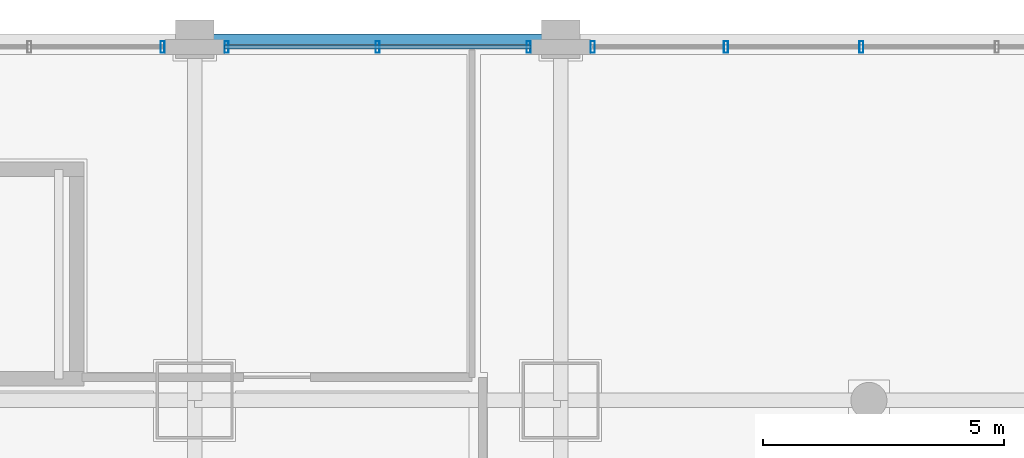
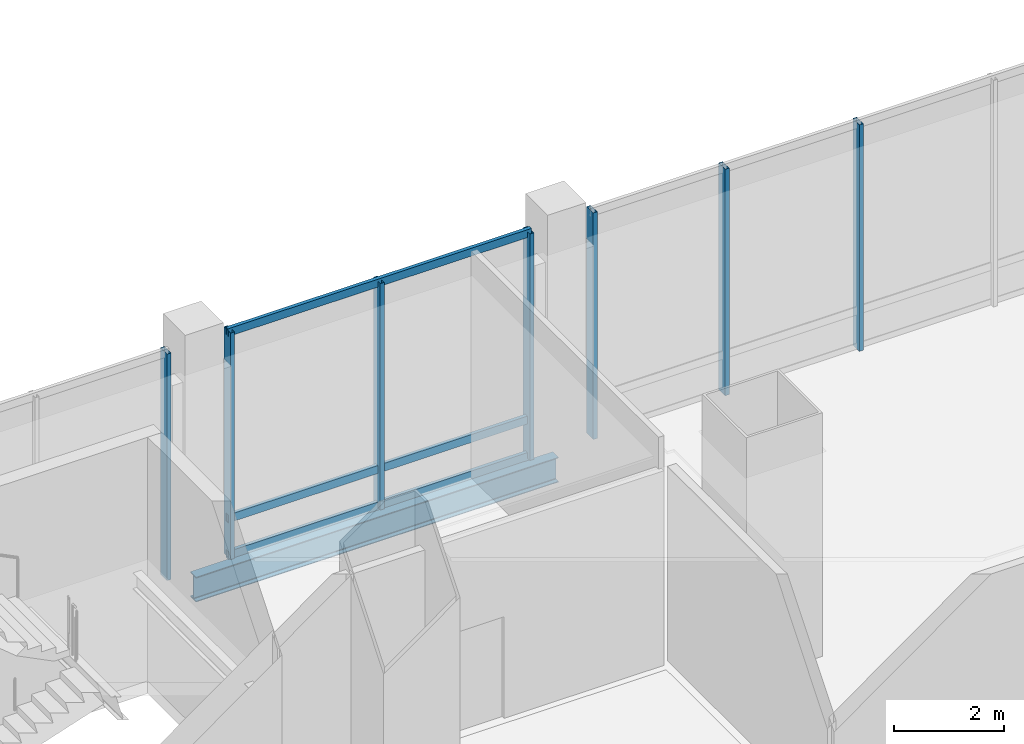
# One storey, part 13 of 35: 10 members, 1 beam, 3 elements without a shape of their own.
"""IFC4 building model written with IfcOpenShell, lengths in metres."""

from ifc_helpers import new_model, si_unit, direction, frame, origin, origin_2d, place, context, subcontext, project, spatial, hollow_rectangle, i_section, extrude, material, material_profile, profile_set, type_object, element, aggregate, save


model = new_model("IFC4")

# Units and contexts
model_context = context("Model", 3, precision=1e-05, world=origin(), true_north=direction((0.0, 1.0)))
body_context = subcontext(model_context, "Body", "Model", "MODEL_VIEW")
ifc_project = project(units=[si_unit("LENGTHUNIT", "METRE"), si_unit("AREAUNIT", "SQUARE_METRE"), si_unit("VOLUMEUNIT", "CUBIC_METRE"), si_unit("PLANEANGLEUNIT", "RADIAN"), si_unit("MASSUNIT", "GRAM", prefix="KILO")], contexts=[model_context])

# Site, building, storey
site_placement = place(None, origin())
site = spatial("IfcSite", under=ifc_project, at=site_placement, CompositionType="ELEMENT")
building_placement = place(site_placement, origin())
building = spatial("IfcBuilding", under=site, at=building_placement, Name="Punatoya Terracotta Tower", CompositionType="ELEMENT")
storey_placement = place(building_placement, frame((0.0, 0.0, 16.800048828125)))
storey = spatial("IfcBuildingStorey", under=building, at=storey_placement, Name="L03", CompositionType="ELEMENT", Elevation=16.800048828125)

# Beam
ifc_material_1 = material(Name="Steel S355", Category="steel")
ifc_material_profile_1 = material_profile(ifc_material_1, i_section(OverallWidth=0.2099609375, OverallDepth=0.550048828125, WebThickness=0.010986328125, FlangeThickness=0.01708984375, FilletRadius=0.01806640625, at=origin_2d()))
ifc_profile_set_1 = profile_set([ifc_material_profile_1], Name="Steel S355")
beam_type = type_object("IfcBeamType", Name="BM-SPN-550", PredefinedType="SPANDREL", material=ifc_profile_set_1)
beam_placement = place(storey_placement, frame((-3.800048828125, 25.0, -0.554931640625), z_axis=(1.0, 0.0, 0.0), x_axis=(0.0, 1.0, 0.0)))
element("IfcBeam", 1, at=beam_placement, inside=storey, type_object=beam_type, Name="BM-L03-MIDH-2", PredefinedType="SPANDREL", context=body_context, shape_type="SweptSolid", body=[
    extrude(i_section(OverallWidth=0.2099609375, OverallDepth=0.550048828125, WebThickness=0.010986328125, FlangeThickness=0.01708984375, FilletRadius=0.01806640625, at=origin_2d()), origin(), (0.0, 0.0, 1.0), 7.60009765625),
])

# Curtain wall, member
ifc_material_2 = material(Name="Aluminium 6063-T6 + Double Low-E Glass", Category="aluminium")
curtain_wall_type = type_object("IfcCurtainWallType", Name="CW-POD", PredefinedType="NOTDEFINED", material=ifc_material_2)
curtain_wall_1_placement = place(storey_placement, origin())
curtain_wall_1 = element("IfcCurtainWall", 2, at=curtain_wall_1_placement, inside=storey, type_object=curtain_wall_type, Name="L03 Curtain Wall CWP-L03-N3", PredefinedType="NOTDEFINED")
ifc_material_3 = material(Name="Aluminium 6063-T6", Category="aluminium")
ifc_material_profile_2 = material_profile(ifc_material_3, hollow_rectangle(XDim=0.0849609375, YDim=0.239990234375, WallThickness=0.0048828125, at=origin_2d()))
ifc_profile_set_2 = profile_set([ifc_material_profile_2], Name="Aluminium 6063-T6")
member_type_1 = type_object("IfcMemberType", Name="CW-MUL-POD", PredefinedType="MULLION", material=ifc_profile_set_2)
member_1_placement = place(storey_placement, frame((-4.465087890625, 24.840087890625, 0.0), z_axis=(0.0, 0.0, 1.0), x_axis=(1.0, 0.0, 0.0)))
member_1 = element("IfcMember", 3, at=member_1_placement, type_object=member_type_1, Name="CWP-L03-N3 Mullion 00", PredefinedType="MULLION", context=body_context, shape_type="SweptSolid", body=[
    extrude(hollow_rectangle(XDim=0.0849609375, YDim=0.239990234375, WallThickness=0.0048828125, at=origin_2d()), origin(), (0.0, 0.0, 1.0), 5.02001953125),
])
aggregate(curtain_wall_1, [member_1])

# Curtain wall, members
curtain_wall_2_placement = place(storey_placement, origin())
curtain_wall_2 = element("IfcCurtainWall", 4, at=curtain_wall_2_placement, inside=storey, type_object=curtain_wall_type, Name="L03 Curtain Wall CWP-L03-N4", PredefinedType="NOTDEFINED")
member_2_placement = place(storey_placement, frame((3.135009765625, 24.840087890625, 0.0), z_axis=(0.0, 0.0, 1.0), x_axis=(1.0, 0.0, 0.0)))
member_2 = element("IfcMember", 5, at=member_2_placement, type_object=member_type_1, Name="CWP-L03-N4 Mullion 00", PredefinedType="MULLION", context=body_context, shape_type="SweptSolid", body=[
    extrude(hollow_rectangle(XDim=0.0849609375, YDim=0.239990234375, WallThickness=0.0048828125, at=origin_2d()), origin(), (0.0, 0.0, 1.0), 5.02001953125),
])
member_3_placement = place(storey_placement, frame((0.0, 24.840087890625, 0.0), z_axis=(0.0, 0.0, 1.0), x_axis=(1.0, 0.0, 0.0)))
member_3 = element("IfcMember", 6, at=member_3_placement, type_object=member_type_1, Name="CWP-L03-N4 Mullion 01", PredefinedType="MULLION", context=body_context, shape_type="SweptSolid", body=[
    extrude(hollow_rectangle(XDim=0.0849609375, YDim=0.239990234375, WallThickness=0.0048828125, at=origin_2d()), origin(), (0.0, 0.0, 1.0), 5.02001953125),
])
member_4_placement = place(storey_placement, frame((-3.135009765625, 24.840087890625, 0.0), z_axis=(0.0, 0.0, 1.0), x_axis=(1.0, 0.0, 0.0)))
member_4 = element("IfcMember", 7, at=member_4_placement, type_object=member_type_1, Name="CWP-L03-N4 Mullion 02", PredefinedType="MULLION", context=body_context, shape_type="SweptSolid", body=[
    extrude(hollow_rectangle(XDim=0.0849609375, YDim=0.239990234375, WallThickness=0.0048828125, at=origin_2d()), origin(), (0.0, 0.0, 1.0), 5.02001953125),
])

curtain_wall_3_placement = place(storey_placement, origin())
curtain_wall_3 = element("IfcCurtainWall", 8, at=curtain_wall_3_placement, inside=storey, type_object=curtain_wall_type, Name="L03 Curtain Wall CWP-L03-N5", PredefinedType="NOTDEFINED")
member_5_placement = place(storey_placement, frame((10.0439453125, 24.840087890625, 0.0), z_axis=(0.0, 0.0, 1.0), x_axis=(1.0, 0.0, 0.0)))
member_5 = element("IfcMember", 9, at=member_5_placement, type_object=member_type_1, Name="CWP-L03-N5 Mullion 03", PredefinedType="MULLION", context=body_context, shape_type="SweptSolid", body=[
    extrude(hollow_rectangle(XDim=0.0849609375, YDim=0.239990234375, WallThickness=0.0048828125, at=origin_2d()), origin(), (0.0, 0.0, 1.0), 5.02001953125),
])
member_6_placement = place(storey_placement, frame((7.23193359375, 24.840087890625, 0.0), z_axis=(0.0, 0.0, 1.0), x_axis=(1.0, 0.0, 0.0)))
member_6 = element("IfcMember", 10, at=member_6_placement, type_object=member_type_1, Name="CWP-L03-N5 Mullion 04", PredefinedType="MULLION", context=body_context, shape_type="SweptSolid", body=[
    extrude(hollow_rectangle(XDim=0.0849609375, YDim=0.239990234375, WallThickness=0.0048828125, at=origin_2d()), origin(), (0.0, 0.0, 1.0), 5.02001953125),
])
member_7_placement = place(storey_placement, frame((4.465087890625, 24.840087890625, 0.0), z_axis=(0.0, 0.0, 1.0), x_axis=(1.0, 0.0, 0.0)))
member_7 = element("IfcMember", 11, at=member_7_placement, type_object=member_type_1, Name="CWP-L03-N5 Mullion 05", PredefinedType="MULLION", context=body_context, shape_type="SweptSolid", body=[
    extrude(hollow_rectangle(XDim=0.0849609375, YDim=0.239990234375, WallThickness=0.0048828125, at=origin_2d()), origin(), (0.0, 0.0, 1.0), 5.02001953125),
])
aggregate(curtain_wall_3, [member_5, member_6, member_7])

# Member
ifc_material_profile_3 = material_profile(ifc_material_3, hollow_rectangle(XDim=0.074951171875, YDim=0.175048828125, WallThickness=0.00439453125, at=origin_2d()))
ifc_profile_set_3 = profile_set([ifc_material_profile_3], Name="Aluminium 6063-T6")
member_type_2 = type_object("IfcMemberType", Name="CW-TRN-POD", PredefinedType="USERDEFINED", material=ifc_profile_set_3)
member_8_placement = place(storey_placement, frame((3.179931640625, 24.840087890625, 0.0400390625), z_axis=(-1.0, 0.0, 0.0), x_axis=(0.0, -1.0, 0.0)))
member_8 = element("IfcMember", 12, at=member_8_placement, type_object=member_type_2, Name="CWP-L03-N4 Transom 1", ObjectType="TRANSOM", PredefinedType="USERDEFINED", context=body_context, shape_type="SweptSolid", body=[
    extrude(hollow_rectangle(XDim=0.074951171875, YDim=0.175048828125, WallThickness=0.00439453125, at=origin_2d()), origin(), (0.0, 0.0, 1.0), 6.35986328125),
])

member_9_placement = place(storey_placement, frame((3.179931640625, 24.840087890625, 0.849853515625), z_axis=(-1.0, 0.0, 0.0), x_axis=(0.0, -1.0, 0.0)))
member_9 = element("IfcMember", 13, at=member_9_placement, type_object=member_type_2, Name="CWP-L03-N4 Transom 2", ObjectType="TRANSOM", PredefinedType="USERDEFINED", context=body_context, shape_type="SweptSolid", body=[
    extrude(hollow_rectangle(XDim=0.074951171875, YDim=0.175048828125, WallThickness=0.00439453125, at=origin_2d()), origin(), (0.0, 0.0, 1.0), 6.35986328125),
])

member_10_placement = place(storey_placement, frame((3.179931640625, 24.840087890625, 4.97998046875), z_axis=(-1.0, 0.0, 0.0), x_axis=(0.0, -1.0, 0.0)))
member_10 = element("IfcMember", 14, at=member_10_placement, type_object=member_type_2, Name="CWP-L03-N4 Transom 3", ObjectType="TRANSOM", PredefinedType="USERDEFINED", context=body_context, shape_type="SweptSolid", body=[
    extrude(hollow_rectangle(XDim=0.074951171875, YDim=0.175048828125, WallThickness=0.00439453125, at=origin_2d()), origin(), (0.0, 0.0, 1.0), 6.35986328125),
])

aggregate(curtain_wall_2, [member_2, member_3, member_4, member_8, member_9, member_10])

save(model, "model.ifc")
